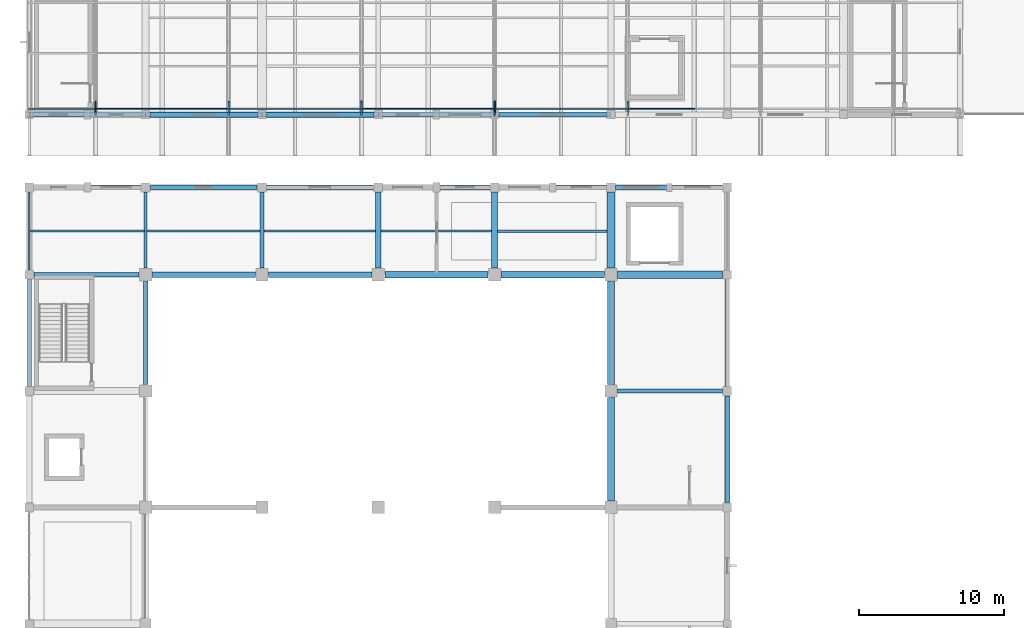
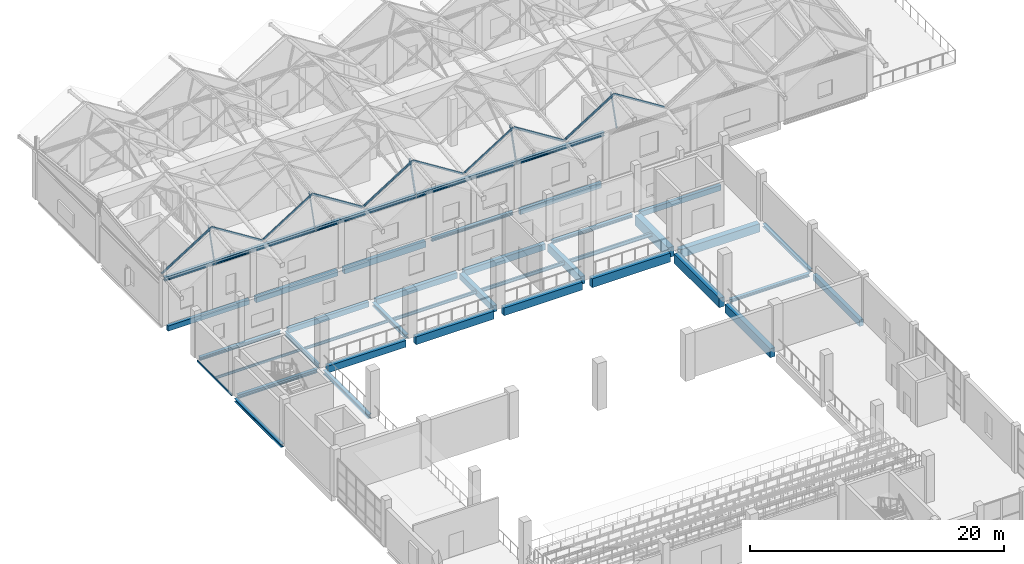
# One storey, part 62 of 183: 40 beams, 15 members.
"""IFC4 building model written with IfcOpenShell, lengths in metres."""

from ifc_helpers import new_model, si_unit, direction, frame, origin, origin_2d, place, context, subcontext, project, spatial, rectangle, hollow_rectangle, hollow_circle, i_section, extrude, material, material_profile, profile_set, type_object, element, save


model = new_model("IFC4")

# Units and contexts
model_context = context("Model", 3, precision=1e-05, world=origin(), true_north=direction((0.0, 1.0)))
body_context = subcontext(model_context, "Body", "Model", "MODEL_VIEW")
ifc_project = project(units=[si_unit("LENGTHUNIT", "METRE"), si_unit("AREAUNIT", "SQUARE_METRE"), si_unit("VOLUMEUNIT", "CUBIC_METRE"), si_unit("PLANEANGLEUNIT", "RADIAN"), si_unit("MASSUNIT", "GRAM", prefix="KILO")], contexts=[model_context])

# Site, building, storey
site_placement = place(None, origin())
site = spatial("IfcSite", under=ifc_project, at=site_placement, CompositionType="ELEMENT")
building_placement = place(site_placement, origin())
building = spatial("IfcBuilding", under=site, at=building_placement, Name="Luwemba Playhouse", CompositionType="ELEMENT")
storey_placement = place(building_placement, frame((0.0, 0.0, 4.800048828125)))
storey = spatial("IfcBuildingStorey", under=building, at=storey_placement, Name="L01", CompositionType="ELEMENT", Elevation=4.800048828125)

# Beams
ifc_material_1 = material(Name="Concrete C40/50", Category="concrete")
ifc_material_profile_1 = material_profile(ifc_material_1, rectangle(XDim=0.39990234375, YDim=0.60009765625, at=origin_2d()))
ifc_profile_set_1 = profile_set([ifc_material_profile_1], Name="Concrete C40/50")
beam_type_1 = type_object("IfcBeamType", Name="BM-RB01", PredefinedType="BEAM", material=ifc_profile_set_1)
beam_1_placement = place(storey_placement, frame((28.0, 84.449951171875, -0.550048828125), z_axis=(0.0, 1.0, 0.0), x_axis=(-1.0, 0.0, 0.0)))
element("IfcBeam", 1, at=beam_1_placement, inside=storey, type_object=beam_type_1, Name="L01 transverse girder 0396", PredefinedType="BEAM", context=body_context, shape_type="SweptSolid", body=[
    extrude(rectangle(XDim=0.39990234375, YDim=0.60009765625, at=origin_2d()), origin(), (0.0, 0.0, 1.0), 5.22509765625),
])
ifc_material_profile_2 = material_profile(ifc_material_1, rectangle(XDim=0.39990234375, YDim=0.64990234375, at=origin_2d()))
ifc_profile_set_2 = profile_set([ifc_material_profile_2], Name="Concrete C40/50")
beam_type_2 = type_object("IfcBeamType", Name="BM-RB02", PredefinedType="BEAM", material=ifc_profile_set_2)
beam_2_placement = place(storey_placement, frame((12.449951171875, 84.0, -0.574951171875), z_axis=(1.0, 0.0, 0.0), x_axis=(0.0, 1.0, 0.0)))
element("IfcBeam", 2, at=beam_2_placement, inside=storey, type_object=beam_type_2, Name="L01 grid girder 0378", PredefinedType="BEAM", context=body_context, shape_type="SweptSolid", body=[
    extrude(rectangle(XDim=0.39990234375, YDim=0.64990234375, at=origin_2d()), origin(), (0.0, 0.0, 1.0), 7.10009765625),
])
ifc_material_profile_3 = material_profile(ifc_material_1, rectangle(XDim=0.39990234375, YDim=0.75, at=origin_2d()))
ifc_profile_set_3 = profile_set([ifc_material_profile_3], Name="Concrete C40/50")
beam_type_3 = type_object("IfcBeamType", Name="BM-RB03", PredefinedType="BEAM", material=ifc_profile_set_3)
beam_3_placement = place(storey_placement, frame((20.449951171875, 84.0, -0.625), z_axis=(1.0, 0.0, 0.0), x_axis=(0.0, 1.0, 0.0)))
element("IfcBeam", 3, at=beam_3_placement, inside=storey, type_object=beam_type_3, Name="L01 grid girder 0379", PredefinedType="BEAM", context=body_context, shape_type="SweptSolid", body=[
    extrude(rectangle(XDim=0.39990234375, YDim=0.75, at=origin_2d()), origin(), (0.0, 0.0, 1.0), 7.10009765625),
])
beam_4_placement = place(storey_placement, frame((36.0, 84.449951171875, -0.625), z_axis=(0.0, 1.0, 0.0), x_axis=(-1.0, 0.0, 0.0)))
element("IfcBeam", 4, at=beam_4_placement, inside=storey, type_object=beam_type_3, Name="L01 transverse girder 0397", PredefinedType="BEAM", context=body_context, shape_type="SweptSolid", body=[
    extrude(rectangle(XDim=0.39990234375, YDim=0.75, at=origin_2d()), origin(), (0.0, 0.0, 1.0), 5.22509765625),
])
ifc_material_profile_4 = material_profile(ifc_material_1, rectangle(XDim=0.449951171875, YDim=0.75, at=origin_2d()))
ifc_profile_set_4 = profile_set([ifc_material_profile_4], Name="Concrete C40/50")
beam_type_4 = type_object("IfcBeamType", Name="BM-RB04", PredefinedType="BEAM", material=ifc_profile_set_4)
beam_5_placement = place(storey_placement, frame((28.449951171875, 84.0, -0.625), z_axis=(1.0, 0.0, 0.0), x_axis=(0.0, 1.0, 0.0)))
element("IfcBeam", 5, at=beam_5_placement, inside=storey, type_object=beam_type_4, Name="L01 grid girder 0380", PredefinedType="BEAM", context=body_context, shape_type="SweptSolid", body=[
    extrude(rectangle(XDim=0.449951171875, YDim=0.75, at=origin_2d()), origin(), (0.0, 0.0, 1.0), 7.10009765625),
])
ifc_material_profile_5 = material_profile(ifc_material_1, rectangle(XDim=0.449951171875, YDim=0.85009765625, at=origin_2d()))
ifc_profile_set_5 = profile_set([ifc_material_profile_5], Name="Concrete C40/50")
beam_type_5 = type_object("IfcBeamType", Name="BM-RB05", PredefinedType="BEAM", material=ifc_profile_set_5)
for number, where, z_axis, x_axis, name in (
    (6, (36.449951171875, 84.0, -0.675048828125), (1.0, 0.0, 0.0), (0.0, 1.0, 0.0), "L01 grid girder 0381"),
    (7, (44.0, 68.449951171875, -0.675048828125), (0.0, 1.0, 0.0), (-1.0, 0.0, 0.0), "L01 transverse girder 0398"),
):
    element("IfcBeam", number, at=place(storey_placement, frame(where, z_axis=z_axis, x_axis=x_axis)), inside=storey, type_object=beam_type_5, Name=name, PredefinedType="BEAM", context=body_context, shape_type="SweptSolid", body=[
        extrude(rectangle(XDim=0.449951171875, YDim=0.85009765625, at=origin_2d()), origin(), (0.0, 0.0, 1.0), 7.10009765625),
    ])
ifc_material_profile_6 = material_profile(ifc_material_1, rectangle(XDim=0.5, YDim=0.800048828125, at=origin_2d()))
ifc_profile_set_6 = profile_set([ifc_material_profile_6], Name="Concrete C40/50")
beam_type_6 = type_object("IfcBeamType", Name="BM-RB06", PredefinedType="BEAM", material=ifc_profile_set_6)
beam_6_placement = place(storey_placement, frame((44.449951171875, 84.0, -0.650146484375), z_axis=(1.0, 0.0, 0.0), x_axis=(0.0, 1.0, 0.0)))
element("IfcBeam", 8, at=beam_6_placement, inside=storey, type_object=beam_type_6, Name="L01 grid girder 0382", PredefinedType="BEAM", context=body_context, shape_type="SweptSolid", body=[
    extrude(rectangle(XDim=0.5, YDim=0.800048828125, at=origin_2d()), origin(), (0.0, 0.0, 1.0), 7.22509765625),
])
ifc_material_profile_7 = material_profile(ifc_material_1, rectangle(XDim=0.5, YDim=0.89990234375, at=origin_2d()))
ifc_profile_set_7 = profile_set([ifc_material_profile_7], Name="Concrete C40/50")
beam_type_7 = type_object("IfcBeamType", Name="BM-RB07", PredefinedType="BEAM", material=ifc_profile_set_7)
beam_7_placement = place(storey_placement, frame((44.0, 76.449951171875, -0.699951171875), z_axis=(0.0, 1.0, 0.0), x_axis=(-1.0, 0.0, 0.0)))
element("IfcBeam", 9, at=beam_7_placement, inside=storey, type_object=beam_type_7, Name="L01 transverse girder 0399", PredefinedType="BEAM", context=body_context, shape_type="SweptSolid", body=[
    extrude(rectangle(XDim=0.5, YDim=0.89990234375, at=origin_2d()), origin(), (0.0, 0.0, 1.0), 7.10009765625),
])
ifc_material_profile_8 = material_profile(ifc_material_1, rectangle(XDim=0.550048828125, YDim=0.949951171875, at=origin_2d()))
ifc_profile_set_8 = profile_set([ifc_material_profile_8], Name="Concrete C40/50")
beam_type_8 = type_object("IfcBeamType", Name="BM-RB08", PredefinedType="BEAM", material=ifc_profile_set_8)
beam_8_placement = place(storey_placement, frame((44.0, 84.449951171875, -0.72509765625), z_axis=(0.0, 1.0, 0.0), x_axis=(-1.0, 0.0, 0.0)))
element("IfcBeam", 10, at=beam_8_placement, inside=storey, type_object=beam_type_8, Name="L01 transverse girder 0400", PredefinedType="BEAM", context=body_context, shape_type="SweptSolid", body=[
    extrude(rectangle(XDim=0.550048828125, YDim=0.949951171875, at=origin_2d()), origin(), (0.0, 0.0, 1.0), 5.22509765625),
])
ifc_material_2 = material(Name="Steel S355", Category="steel")
ifc_material_profile_9 = material_profile(ifc_material_2, i_section(OverallWidth=0.300048828125, OverallDepth=0.2900390625, WebThickness=0.008544921875, FlangeThickness=0.013916015625, FilletRadius=0.027099609375, at=origin_2d()))
ifc_profile_set_9 = profile_set([ifc_material_profile_9], Name="Steel S355")
beam_type_9 = type_object("IfcBeamType", Name="BM-SB03", PredefinedType="BEAM", material=ifc_profile_set_9)
beam_9_placement = place(storey_placement, frame((44.449951171875, 76.0, -0.39501953125), z_axis=(1.0, 0.0, 0.0), x_axis=(0.0, 1.0, 0.0)))
element("IfcBeam", 11, at=beam_9_placement, inside=storey, type_object=beam_type_9, Name="L01 grid girder 0376", PredefinedType="BEAM", context=body_context, shape_type="SweptSolid", body=[
    extrude(i_section(OverallWidth=0.300048828125, OverallDepth=0.2900390625, WebThickness=0.008544921875, FlangeThickness=0.013916015625, FilletRadius=0.027099609375, at=origin_2d()), origin(), (0.0, 0.0, 1.0), 7.22509765625),
])
ifc_material_profile_10 = material_profile(ifc_material_2, i_section(OverallWidth=0.300048828125, OverallDepth=0.330078125, WebThickness=0.009521484375, FlangeThickness=0.0166015625, FilletRadius=0.027099609375, at=origin_2d()))
ifc_profile_set_10 = profile_set([ifc_material_profile_10], Name="Steel S355")
beam_type_10 = type_object("IfcBeamType", Name="BM-SB04", PredefinedType="BEAM", material=ifc_profile_set_10)
beam_10_placement = place(storey_placement, frame((4.324951171875, 84.0, -0.4150390625), z_axis=(1.0, 0.0, 0.0), x_axis=(0.0, 1.0, 0.0)))
element("IfcBeam", 12, at=beam_10_placement, inside=storey, type_object=beam_type_10, Name="L01 grid girder 0377", PredefinedType="BEAM", context=body_context, shape_type="SweptSolid", body=[
    extrude(i_section(OverallWidth=0.300048828125, OverallDepth=0.330078125, WebThickness=0.009521484375, FlangeThickness=0.0166015625, FilletRadius=0.027099609375, at=origin_2d()), origin(), (0.0, 0.0, 1.0), 7.22509765625),
])
ifc_material_profile_11 = material_profile(ifc_material_2, i_section(OverallWidth=0.300048828125, OverallDepth=0.389892578125, WebThickness=0.010986328125, FlangeThickness=0.01904296875, FilletRadius=0.027099609375, at=origin_2d()))
ifc_profile_set_11 = profile_set([ifc_material_profile_11], Name="Steel S355")
beam_type_11 = type_object("IfcBeamType", Name="BM-SB05", PredefinedType="BEAM", material=ifc_profile_set_11)
beam_11_placement = place(storey_placement, frame((12.0, 76.449951171875, -0.445068359375), z_axis=(0.0, 1.0, 0.0), x_axis=(-1.0, 0.0, 0.0)))
element("IfcBeam", 13, at=beam_11_placement, inside=storey, type_object=beam_type_11, Name="L01 transverse girder 0393", PredefinedType="BEAM", context=body_context, shape_type="SweptSolid", body=[
    extrude(i_section(OverallWidth=0.300048828125, OverallDepth=0.389892578125, WebThickness=0.010986328125, FlangeThickness=0.01904296875, FilletRadius=0.027099609375, at=origin_2d()), origin(), (0.0, 0.0, 1.0), 7.10009765625),
])
ifc_material_profile_12 = material_profile(ifc_material_2, i_section(OverallWidth=0.18994140625, OverallDepth=0.449951171875, WebThickness=0.009521484375, FlangeThickness=0.0146484375, FilletRadius=0.02099609375, at=origin_2d()))
ifc_profile_set_12 = profile_set([ifc_material_profile_12], Name="Steel S355")
beam_type_12 = type_object("IfcBeamType", Name="BM-SB06", PredefinedType="BEAM", material=ifc_profile_set_12)
beam_12_placement = place(storey_placement, frame((12.0, 84.449951171875, -0.47509765625), z_axis=(0.0, 1.0, 0.0), x_axis=(-1.0, 0.0, 0.0)))
element("IfcBeam", 14, at=beam_12_placement, inside=storey, type_object=beam_type_12, Name="L01 transverse girder 0394", PredefinedType="BEAM", context=body_context, shape_type="SweptSolid", body=[
    extrude(i_section(OverallWidth=0.18994140625, OverallDepth=0.449951171875, WebThickness=0.009521484375, FlangeThickness=0.0146484375, FilletRadius=0.02099609375, at=origin_2d()), origin(), (0.0, 0.0, 1.0), 5.22509765625),
])
ifc_material_profile_13 = material_profile(ifc_material_2, i_section(OverallWidth=0.300048828125, OverallDepth=0.360107421875, WebThickness=0.012451171875, FlangeThickness=0.0224609375, FilletRadius=0.027099609375, at=origin_2d()))
ifc_profile_set_13 = profile_set([ifc_material_profile_13], Name="Steel S355")
beam_type_13 = type_object("IfcBeamType", Name="BM-SB09", PredefinedType="BEAM", material=ifc_profile_set_13)
beam_13_placement = place(storey_placement, frame((20.0, 84.449951171875, -0.429931640625), z_axis=(0.0, 1.0, 0.0), x_axis=(-1.0, 0.0, 0.0)))
element("IfcBeam", 15, at=beam_13_placement, inside=storey, type_object=beam_type_13, Name="L01 transverse girder 0395", PredefinedType="BEAM", context=body_context, shape_type="SweptSolid", body=[
    extrude(i_section(OverallWidth=0.300048828125, OverallDepth=0.360107421875, WebThickness=0.012451171875, FlangeThickness=0.0224609375, FilletRadius=0.027099609375, at=origin_2d()), origin(), (0.0, 0.0, 1.0), 5.22509765625),
])
for number, where, z_axis, x_axis, name in (
    (16, (4.0, 95.0, 4.320068359375), (1.0, 0.0, 0.0), (0.0, 1.0, 0.0), "RF-V6W eave ring beam 0342"),
    (17, (12.0, 95.0, 4.320068359375), (1.0, 0.0, 0.0), (0.0, 1.0, 0.0), "RF-V6W eave ring beam 0343"),
    (18, (20.0, 95.0, 4.320068359375), (1.0, 0.0, 0.0), (0.0, 1.0, 0.0), "RF-V6W eave ring beam 0344"),
    (19, (28.0, 95.0, 4.320068359375), (1.0, 0.0, 0.0), (0.0, 1.0, 0.0), "RF-V6W eave ring beam 0345"),
    (20, (36.0, 95.0, 4.320068359375), (1.0, 0.0, 0.0), (0.0, 1.0, 0.0), "RF-V6W eave ring beam 0346"),
):
    element("IfcBeam", number, at=place(storey_placement, frame(where, z_axis=z_axis, x_axis=x_axis)), inside=storey, type_object=beam_type_13, Name=name, PredefinedType="BEAM", context=body_context, shape_type="SweptSolid", body=[
        extrude(i_section(OverallWidth=0.300048828125, OverallDepth=0.360107421875, WebThickness=0.012451171875, FlangeThickness=0.0224609375, FilletRadius=0.027099609375, at=origin_2d()), origin(), (0.0, 0.0, 1.0), 8.0),
    ])
ifc_material_profile_14 = material_profile(ifc_material_2, i_section(OverallWidth=0.1201171875, OverallDepth=0.239990234375, WebThickness=0.006103515625, FlangeThickness=0.009765625, FilletRadius=0.014892578125, at=origin_2d()))
ifc_profile_set_14 = profile_set([ifc_material_profile_14], Name="Steel S355")
beam_type_14 = type_object("IfcBeamType", Name="BM-SJ03", PredefinedType="JOIST", material=ifc_profile_set_14)
beam_14_placement = place(storey_placement, frame((4.0458984375, 87.0, -0.3701171875), z_axis=(1.0, 0.0, 0.0), x_axis=(0.0, 1.0, 0.0)))
element("IfcBeam", 21, at=beam_14_placement, inside=storey, type_object=beam_type_14, Name="L01 composite floor joist 0250", PredefinedType="JOIST", context=body_context, shape_type="SweptSolid", body=[
    extrude(i_section(OverallWidth=0.1201171875, OverallDepth=0.239990234375, WebThickness=0.006103515625, FlangeThickness=0.009765625, FilletRadius=0.014892578125, at=origin_2d()), origin(), (0.0, 0.0, 1.0), 7.863037109375),
])
ifc_material_profile_15 = material_profile(ifc_material_2, i_section(OverallWidth=0.135009765625, OverallDepth=0.27001953125, WebThickness=0.006591796875, FlangeThickness=0.01025390625, FilletRadius=0.014892578125, at=origin_2d()))
ifc_profile_set_15 = profile_set([ifc_material_profile_15], Name="Steel S355")
beam_type_15 = type_object("IfcBeamType", Name="BM-SJ04", PredefinedType="JOIST", material=ifc_profile_set_15)
beam_15_placement = place(storey_placement, frame((12.091064453125, 87.0, -0.385009765625), z_axis=(1.0, 0.0, 0.0), x_axis=(0.0, 1.0, 0.0)))
element("IfcBeam", 22, at=beam_15_placement, inside=storey, type_object=beam_type_15, Name="L01 composite floor joist 0251", PredefinedType="JOIST", context=body_context, shape_type="SweptSolid", body=[
    extrude(i_section(OverallWidth=0.135009765625, OverallDepth=0.27001953125, WebThickness=0.006591796875, FlangeThickness=0.01025390625, FilletRadius=0.014892578125, at=origin_2d()), origin(), (0.0, 0.0, 1.0), 7.762939453125),
])
ifc_material_profile_16 = material_profile(ifc_material_2, i_section(OverallWidth=0.14990234375, OverallDepth=0.300048828125, WebThickness=0.007080078125, FlangeThickness=0.0107421875, FilletRadius=0.014892578125, at=origin_2d()))
ifc_profile_set_16 = profile_set([ifc_material_profile_16], Name="Steel S355")
beam_type_16 = type_object("IfcBeamType", Name="BM-SJ05", PredefinedType="JOIST", material=ifc_profile_set_16)
beam_16_placement = place(storey_placement, frame((20.14599609375, 87.0, -0.400146484375), z_axis=(1.0, 0.0, 0.0), x_axis=(0.0, 1.0, 0.0)))
element("IfcBeam", 23, at=beam_16_placement, inside=storey, type_object=beam_type_16, Name="L01 composite floor joist 0252", PredefinedType="JOIST", context=body_context, shape_type="SweptSolid", body=[
    extrude(i_section(OverallWidth=0.14990234375, OverallDepth=0.300048828125, WebThickness=0.007080078125, FlangeThickness=0.0107421875, FilletRadius=0.014892578125, at=origin_2d()), origin(), (0.0, 0.0, 1.0), 7.657958984375),
])
ifc_material_profile_17 = material_profile(ifc_material_2, i_section(OverallWidth=0.159912109375, OverallDepth=0.330078125, WebThickness=0.007568359375, FlangeThickness=0.011474609375, FilletRadius=0.01806640625, at=origin_2d()))
ifc_profile_set_17 = profile_set([ifc_material_profile_17], Name="Steel S355")
beam_type_17 = type_object("IfcBeamType", Name="BM-SJ06", PredefinedType="JOIST", material=ifc_profile_set_17)
beam_17_placement = place(storey_placement, frame((28.196044921875, 87.0, -0.4150390625), z_axis=(1.0, 0.0, 0.0), x_axis=(0.0, 1.0, 0.0)))
element("IfcBeam", 24, at=beam_17_placement, inside=storey, type_object=beam_type_17, Name="L01 composite floor joist 0253", PredefinedType="JOIST", context=body_context, shape_type="SweptSolid", body=[
    extrude(i_section(OverallWidth=0.159912109375, OverallDepth=0.330078125, WebThickness=0.007568359375, FlangeThickness=0.011474609375, FilletRadius=0.01806640625, at=origin_2d()), origin(), (0.0, 0.0, 1.0), 7.60791015625),
])
ifc_material_profile_18 = material_profile(ifc_material_2, i_section(OverallWidth=0.169921875, OverallDepth=0.360107421875, WebThickness=0.008056640625, FlangeThickness=0.0126953125, FilletRadius=0.01806640625, at=origin_2d()))
ifc_profile_set_18 = profile_set([ifc_material_profile_18], Name="Steel S355")
beam_type_18 = type_object("IfcBeamType", Name="BM-SJ07", PredefinedType="JOIST", material=ifc_profile_set_18)
beam_18_placement = place(storey_placement, frame((36.196044921875, 87.0, -0.429931640625), z_axis=(1.0, 0.0, 0.0), x_axis=(0.0, 1.0, 0.0)))
element("IfcBeam", 25, at=beam_18_placement, inside=storey, type_object=beam_type_18, Name="L01 composite floor joist 0254", PredefinedType="JOIST", context=body_context, shape_type="SweptSolid", body=[
    extrude(i_section(OverallWidth=0.169921875, OverallDepth=0.360107421875, WebThickness=0.008056640625, FlangeThickness=0.0126953125, FilletRadius=0.01806640625, at=origin_2d()), origin(), (0.0, 0.0, 1.0), 7.532958984375),
])
ifc_material_profile_19 = material_profile(ifc_material_1, rectangle(XDim=0.300048828125, YDim=0.5, at=origin_2d()))
ifc_profile_set_19 = profile_set([ifc_material_profile_19], Name="Concrete C40/50")
beam_type_19 = type_object("IfcBeamType", Name="BM-SP1", PredefinedType="SPANDREL", material=ifc_profile_set_19)
for number, where, z_axis, x_axis, name in (
    (26, (12.324951171875, 90.0, -0.5), (1.0, 0.0, 0.0), (0.0, 1.0, 0.0), "L01 grid girder 0384"),
    (27, (44.324951171875, 90.0, -0.5), (1.0, 0.0, 0.0), (0.0, 1.0, 0.0), "L01 grid girder 0388"),
):
    element("IfcBeam", number, at=place(storey_placement, frame(where, z_axis=z_axis, x_axis=x_axis)), inside=storey, type_object=beam_type_19, Name=name, PredefinedType="SPANDREL", context=body_context, shape_type="SweptSolid", body=[
        extrude(rectangle(XDim=0.300048828125, YDim=0.5, at=origin_2d()), origin(), (0.0, 0.0, 1.0), 7.35009765625),
    ])
for number, where, z_axis, x_axis, name in (
    (28, (4.300048828125, 95.0, -0.5), (1.0, 0.0, 0.0), (0.0, 1.0, 0.0), "L01 grid girder 0564"),
    (29, (36.300048828125, 95.0, -0.5), (1.0, 0.0, 0.0), (0.0, 1.0, 0.0), "L01 grid girder 0568"),
):
    element("IfcBeam", number, at=place(storey_placement, frame(where, z_axis=z_axis, x_axis=x_axis)), inside=storey, type_object=beam_type_19, Name=name, PredefinedType="SPANDREL", context=body_context, shape_type="SweptSolid", body=[
        extrude(rectangle(XDim=0.300048828125, YDim=0.5, at=origin_2d()), origin(), (0.0, 0.0, 1.0), 7.39990234375),
    ])
ifc_material_profile_20 = material_profile(ifc_material_1, rectangle(XDim=0.35009765625, YDim=0.550048828125, at=origin_2d()))
ifc_profile_set_20 = profile_set([ifc_material_profile_20], Name="Concrete C40/50")
beam_type_20 = type_object("IfcBeamType", Name="BM-SP2", PredefinedType="SPANDREL", material=ifc_profile_set_20)
beam_19_placement = place(storey_placement, frame((20.324951171875, 90.0, -0.525146484375), z_axis=(1.0, 0.0, 0.0), x_axis=(0.0, 1.0, 0.0)))
element("IfcBeam", 30, at=beam_19_placement, inside=storey, type_object=beam_type_20, Name="L01 grid girder 0385", PredefinedType="SPANDREL", context=body_context, shape_type="SweptSolid", body=[
    extrude(rectangle(XDim=0.35009765625, YDim=0.550048828125, at=origin_2d()), origin(), (0.0, 0.0, 1.0), 7.35009765625),
])
beam_20_placement = place(storey_placement, frame((12.300048828125, 95.0, -0.525146484375), z_axis=(1.0, 0.0, 0.0), x_axis=(0.0, 1.0, 0.0)))
element("IfcBeam", 31, at=beam_20_placement, inside=storey, type_object=beam_type_20, Name="L01 grid girder 0565", PredefinedType="SPANDREL", context=body_context, shape_type="SweptSolid", body=[
    extrude(rectangle(XDim=0.35009765625, YDim=0.550048828125, at=origin_2d()), origin(), (0.0, 0.0, 1.0), 7.39990234375),
])
ifc_material_profile_21 = material_profile(ifc_material_1, rectangle(XDim=0.35009765625, YDim=0.60009765625, at=origin_2d()))
ifc_profile_set_21 = profile_set([ifc_material_profile_21], Name="Concrete C40/50")
beam_type_21 = type_object("IfcBeamType", Name="BM-SP3", PredefinedType="SPANDREL", material=ifc_profile_set_21)
for number, where, z_axis, x_axis, name in (
    (32, (28.324951171875, 90.0, -0.550048828125), (1.0, 0.0, 0.0), (0.0, 1.0, 0.0), "L01 grid girder 0386"),
    (33, (52.0, 68.324951171875, -0.550048828125), (0.0, 1.0, 0.0), (-1.0, 0.0, 0.0), "L01 transverse girder 0401"),
):
    element("IfcBeam", number, at=place(storey_placement, frame(where, z_axis=z_axis, x_axis=x_axis)), inside=storey, type_object=beam_type_21, Name=name, PredefinedType="SPANDREL", context=body_context, shape_type="SweptSolid", body=[
        extrude(rectangle(XDim=0.35009765625, YDim=0.60009765625, at=origin_2d()), origin(), (0.0, 0.0, 1.0), 7.35009765625),
    ])
beam_21_placement = place(storey_placement, frame((20.300048828125, 95.0, -0.550048828125), z_axis=(1.0, 0.0, 0.0), x_axis=(0.0, 1.0, 0.0)))
element("IfcBeam", 34, at=beam_21_placement, inside=storey, type_object=beam_type_21, Name="L01 grid girder 0566", PredefinedType="SPANDREL", context=body_context, shape_type="SweptSolid", body=[
    extrude(rectangle(XDim=0.35009765625, YDim=0.60009765625, at=origin_2d()), origin(), (0.0, 0.0, 1.0), 7.39990234375),
])
ifc_material_profile_22 = material_profile(ifc_material_2, i_section(OverallWidth=0.300048828125, OverallDepth=0.300048828125, WebThickness=0.010986328125, FlangeThickness=0.01904296875, FilletRadius=0.027099609375, at=origin_2d()))
ifc_profile_set_22 = profile_set([ifc_material_profile_22], Name="Steel S355")
beam_type_22 = type_object("IfcBeamType", Name="BM-SSP1", PredefinedType="SPANDREL", material=ifc_profile_set_22)
for number, where, z_axis, x_axis, name in (
    (35, (4.324951171875, 90.0, -0.400146484375), (1.0, 0.0, 0.0), (0.0, 1.0, 0.0), "L01 grid girder 0383"),
    (36, (36.324951171875, 90.0, -0.400146484375), (1.0, 0.0, 0.0), (0.0, 1.0, 0.0), "L01 grid girder 0387"),
    (37, (4.0, 76.324951171875, -0.400146484375), (0.0, 1.0, 0.0), (-1.0, 0.0, 0.0), "L01 transverse girder 0390"),
    (38, (52.0, 76.324951171875, -0.400146484375), (0.0, 1.0, 0.0), (-1.0, 0.0, 0.0), "L01 transverse girder 0402"),
):
    element("IfcBeam", number, at=place(storey_placement, frame(where, z_axis=z_axis, x_axis=x_axis)), inside=storey, type_object=beam_type_22, Name=name, PredefinedType="SPANDREL", context=body_context, shape_type="SweptSolid", body=[
        extrude(i_section(OverallWidth=0.300048828125, OverallDepth=0.300048828125, WebThickness=0.010986328125, FlangeThickness=0.01904296875, FilletRadius=0.027099609375, at=origin_2d()), origin(), (0.0, 0.0, 1.0), 7.35009765625),
    ])
beam_22_placement = place(storey_placement, frame((28.300048828125, 95.0, -0.400146484375), z_axis=(1.0, 0.0, 0.0), x_axis=(0.0, 1.0, 0.0)))
element("IfcBeam", 39, at=beam_22_placement, inside=storey, type_object=beam_type_22, Name="L01 grid girder 0567", PredefinedType="SPANDREL", context=body_context, shape_type="SweptSolid", body=[
    extrude(i_section(OverallWidth=0.300048828125, OverallDepth=0.300048828125, WebThickness=0.010986328125, FlangeThickness=0.01904296875, FilletRadius=0.027099609375, at=origin_2d()), origin(), (0.0, 0.0, 1.0), 7.39990234375),
])
ifc_material_profile_23 = material_profile(ifc_material_2, hollow_rectangle(XDim=0.10009765625, YDim=0.199951171875, WallThickness=0.008056640625, InnerFilletRadius=0.011962890625, OuterFilletRadius=0.02001953125, at=origin_2d()))
ifc_profile_set_23 = profile_set([ifc_material_profile_23], Name="Steel S355")
beam_type_23 = type_object("IfcBeamType", Name="BM-SSP2", PredefinedType="SPANDREL", material=ifc_profile_set_23)
beam_23_placement = place(storey_placement, frame((4.0, 84.324951171875, -0.35009765625), z_axis=(0.0, 1.0, 0.0), x_axis=(-1.0, 0.0, 0.0)))
element("IfcBeam", 40, at=beam_23_placement, inside=storey, type_object=beam_type_23, Name="L01 transverse girder 0391", PredefinedType="SPANDREL", context=body_context, shape_type="SweptSolid", body=[
    extrude(hollow_rectangle(XDim=0.10009765625, YDim=0.199951171875, WallThickness=0.008056640625, InnerFilletRadius=0.011962890625, OuterFilletRadius=0.02001953125, at=origin_2d()), origin(), (0.0, 0.0, 1.0), 5.35009765625),
])

# Members
ifc_material_profile_24 = material_profile(ifc_material_2, hollow_circle(Radius=0.06982421875, WallThickness=0.008056640625, at=origin_2d()))
ifc_profile_set_24 = profile_set([ifc_material_profile_24], Name="Steel S355")
member_type_1 = type_object("IfcMemberType", Name="MEM-MB01", PredefinedType="BRACE", material=ifc_profile_set_24)
member_1_placement = place(storey_placement, frame((8.5712890625, 95.0, 4.39990234375), z_axis=(0.0, 0.291958934331, 0.95643085514), x_axis=(-1.0, 0.0, 0.0)))
element("IfcMember", 41, at=member_1_placement, inside=storey, type_object=member_type_1, Name="ROOF TRUSS eave knee strut 0086", PredefinedType="BRACE", context=body_context, shape_type="SweptSolid", body=[
    extrude(hollow_circle(Radius=0.06982421875, WallThickness=0.008056640625, at=origin_2d()), origin(), (0.0, 0.0, 1.0), 3.082275390625),
])
ifc_material_profile_25 = material_profile(ifc_material_2, hollow_circle(Radius=0.084228515625, WallThickness=0.008056640625, at=origin_2d()))
ifc_profile_set_25 = profile_set([ifc_material_profile_25], Name="Steel S355")
member_type_2 = type_object("IfcMemberType", Name="MEM-MB02", PredefinedType="BRACE", material=ifc_profile_set_25)
member_2_placement = place(storey_placement, frame((36.0, 95.0, 4.39990234375), z_axis=(0.0, 0.287469518343, 0.95778978697), x_axis=(-1.0, 0.0, 0.0)))
element("IfcMember", 42, at=member_2_placement, inside=storey, type_object=member_type_2, Name="ROOF TRUSS eave knee strut 0092", PredefinedType="BRACE", context=body_context, shape_type="SweptSolid", body=[
    extrude(hollow_circle(Radius=0.084228515625, WallThickness=0.008056640625, at=origin_2d()), origin(), (0.0, 0.0, 1.0), 3.13037109375),
])
ifc_material_profile_26 = material_profile(ifc_material_2, hollow_rectangle(XDim=0.10009765625, YDim=0.10009765625, WallThickness=0.00634765625, InnerFilletRadius=0.009521484375, OuterFilletRadius=0.015869140625, at=origin_2d()))
ifc_profile_set_26 = profile_set([ifc_material_profile_26], Name="Steel S355")
member_type_3 = type_object("IfcMemberType", Name="MEM-MB05", PredefinedType="BRACE", material=ifc_profile_set_26)
member_3_placement = place(storey_placement, frame((17.71435546875, 95.0, 4.39990234375), z_axis=(0.0, 0.287490993159, 0.95778334129), x_axis=(-1.0, 0.0, 0.0)))
element("IfcMember", 43, at=member_3_placement, inside=storey, type_object=member_type_3, Name="ROOF TRUSS eave knee strut 0088", PredefinedType="BRACE", context=body_context, shape_type="SweptSolid", body=[
    extrude(hollow_rectangle(XDim=0.10009765625, YDim=0.10009765625, WallThickness=0.00634765625, InnerFilletRadius=0.009521484375, OuterFilletRadius=0.015869140625, at=origin_2d()), origin(), (0.0, 0.0, 1.0), 3.130126953125),
])
ifc_material_profile_27 = material_profile(ifc_material_2, hollow_rectangle(XDim=0.1201171875, YDim=0.1201171875, WallThickness=0.008056640625, InnerFilletRadius=0.011962890625, OuterFilletRadius=0.02001953125, at=origin_2d()))
ifc_profile_set_27 = profile_set([ifc_material_profile_27], Name="Steel S355")
member_type_4 = type_object("IfcMemberType", Name="MEM-MB06", PredefinedType="BRACE", material=ifc_profile_set_27)
member_4_placement = place(storey_placement, frame((45.142822265625, 95.0, 4.39990234375), z_axis=(0.0, 0.291958934331, 0.95643085514), x_axis=(-1.0, 0.0, 0.0)))
element("IfcMember", 44, at=member_4_placement, inside=storey, type_object=member_type_4, Name="ROOF TRUSS eave knee strut 0094", PredefinedType="BRACE", context=body_context, shape_type="SweptSolid", body=[
    extrude(hollow_rectangle(XDim=0.1201171875, YDim=0.1201171875, WallThickness=0.008056640625, InnerFilletRadius=0.011962890625, OuterFilletRadius=0.02001953125, at=origin_2d()), origin(), (0.0, 0.0, 1.0), 3.082275390625),
])
ifc_material_profile_28 = material_profile(ifc_material_2, hollow_rectangle(XDim=0.139892578125, YDim=0.139892578125, WallThickness=0.008056640625, InnerFilletRadius=0.011962890625, OuterFilletRadius=0.02001953125, at=origin_2d()))
ifc_profile_set_28 = profile_set([ifc_material_profile_28], Name="Steel S355")
member_type_5 = type_object("IfcMemberType", Name="MEM-MB07", PredefinedType="BRACE", material=ifc_profile_set_28)
member_5_placement = place(storey_placement, frame((26.857177734375, 95.0, 4.39990234375), z_axis=(0.0, 0.291958934331, 0.95643085514), x_axis=(-1.0, 0.0, 0.0)))
element("IfcMember", 45, at=member_5_placement, inside=storey, type_object=member_type_5, Name="ROOF TRUSS eave knee strut 0090", PredefinedType="BRACE", context=body_context, shape_type="SweptSolid", body=[
    extrude(hollow_rectangle(XDim=0.139892578125, YDim=0.139892578125, WallThickness=0.008056640625, InnerFilletRadius=0.011962890625, OuterFilletRadius=0.02001953125, at=origin_2d()), origin(), (0.0, 0.0, 1.0), 3.082275390625),
])
ifc_material_profile_29 = material_profile(ifc_material_2, hollow_rectangle(XDim=0.10009765625, YDim=0.14990234375, WallThickness=0.008056640625, InnerFilletRadius=0.011962890625, OuterFilletRadius=0.02001953125, at=origin_2d()))
ifc_profile_set_29 = profile_set([ifc_material_profile_29], Name="Steel S355")
member_type_6 = type_object("IfcMemberType", Name="MEM-MP02", PredefinedType="PURLIN", material=ifc_profile_set_29)
member_6_placement = place(storey_placement, frame((13.142822265625, 95.39990234375, 4.56494140625), z_axis=(0.846249443207, 0.0, 0.532786899117), x_axis=(0.0, 1.0, 0.0)))
element("IfcMember", 46, at=member_6_placement, inside=storey, type_object=member_type_6, Name="Pleated roof purlin 0625", PredefinedType="PURLIN", context=body_context, shape_type="SweptSolid", body=[
    extrude(hollow_rectangle(XDim=0.10009765625, YDim=0.14990234375, WallThickness=0.008056640625, InnerFilletRadius=0.011962890625, OuterFilletRadius=0.02001953125, at=origin_2d()), origin(), (0.0, 0.0, 1.0), 5.402099609375),
])
member_7_placement = place(storey_placement, frame((31.4287109375, 95.39990234375, 4.56494140625), z_axis=(0.846236613742, 0.0, 0.532807276191), x_axis=(0.0, 1.0, 0.0)))
element("IfcMember", 47, at=member_7_placement, inside=storey, type_object=member_type_6, Name="Pleated roof purlin 0649", PredefinedType="PURLIN", context=body_context, shape_type="SweptSolid", body=[
    extrude(hollow_rectangle(XDim=0.10009765625, YDim=0.14990234375, WallThickness=0.008056640625, InnerFilletRadius=0.011962890625, OuterFilletRadius=0.02001953125, at=origin_2d()), origin(), (0.0, 0.0, 1.0), 5.40185546875),
])
ifc_material_profile_30 = material_profile(ifc_material_2, hollow_rectangle(XDim=0.10009765625, YDim=0.179931640625, WallThickness=0.008056640625, InnerFilletRadius=0.011962890625, OuterFilletRadius=0.02001953125, at=origin_2d()))
ifc_profile_set_30 = profile_set([ifc_material_profile_30], Name="Steel S355")
member_type_7 = type_object("IfcMemberType", Name="MEM-MP04", PredefinedType="PURLIN", material=ifc_profile_set_30)
for number, where, z_axis, x_axis, name in (
    (48, (8.5712890625, 95.39990234375, 7.432861328125), (0.846249443207, 0.0, -0.532786899117), (0.0, 1.0, 0.0), "Pleated roof purlin 0619"),
    (49, (26.857177734375, 95.39990234375, 7.432861328125), (0.846249443207, 0.0, -0.532786899117), (0.0, 1.0, 0.0), "Pleated roof purlin 0643"),
    (50, (45.142822265625, 95.39990234375, 7.432861328125), (0.846249443207, 0.0, -0.532786899117), (0.0, 1.0, 0.0), "Pleated roof purlin 0667"),
):
    element("IfcMember", number, at=place(storey_placement, frame(where, z_axis=z_axis, x_axis=x_axis)), inside=storey, type_object=member_type_7, Name=name, PredefinedType="PURLIN", context=body_context, shape_type="SweptSolid", body=[
        extrude(hollow_rectangle(XDim=0.10009765625, YDim=0.179931640625, WallThickness=0.008056640625, InnerFilletRadius=0.011962890625, OuterFilletRadius=0.02001953125, at=origin_2d()), origin(), (0.0, 0.0, 1.0), 5.402099609375),
    ])
ifc_material_profile_31 = material_profile(ifc_material_2, i_section(OverallWidth=0.091064453125, OverallDepth=0.179931640625, WebThickness=0.00537109375, FlangeThickness=0.008056640625, FilletRadius=0.009033203125, at=origin_2d()))
ifc_profile_set_31 = profile_set([ifc_material_profile_31], Name="Steel S355")
member_type_8 = type_object("IfcMemberType", Name="MEM-MP06", PredefinedType="PURLIN", material=ifc_profile_set_31)
member_8_placement = place(storey_placement, frame((4.0, 95.39990234375, 4.5576171875), z_axis=(0.846236613742, 0.0, 0.532807276191), x_axis=(0.0, 1.0, 0.0)))
element("IfcMember", 51, at=member_8_placement, inside=storey, type_object=member_type_8, Name="Pleated roof purlin 0613", PredefinedType="PURLIN", context=body_context, shape_type="SweptSolid", body=[
    extrude(i_section(OverallWidth=0.091064453125, OverallDepth=0.179931640625, WebThickness=0.00537109375, FlangeThickness=0.008056640625, FilletRadius=0.009033203125, at=origin_2d()), origin(), (0.0, 0.0, 1.0), 5.40185546875),
])
for number, where, z_axis, x_axis, name in (
    (52, (22.28564453125, 95.39990234375, 4.557373046875), (0.84622906663, 0.0, 0.532819262781), (0.0, 1.0, 0.0), "Pleated roof purlin 0637"),
    (53, (40.5712890625, 95.39990234375, 4.557373046875), (0.84622906663, 0.0, 0.532819262781), (0.0, 1.0, 0.0), "Pleated roof purlin 0661"),
):
    element("IfcMember", number, at=place(storey_placement, frame(where, z_axis=z_axis, x_axis=x_axis)), inside=storey, type_object=member_type_8, Name=name, PredefinedType="PURLIN", context=body_context, shape_type="SweptSolid", body=[
        extrude(i_section(OverallWidth=0.091064453125, OverallDepth=0.179931640625, WebThickness=0.00537109375, FlangeThickness=0.008056640625, FilletRadius=0.009033203125, at=origin_2d()), origin(), (0.0, 0.0, 1.0), 5.40234375),
    ])
ifc_material_profile_32 = material_profile(ifc_material_2, i_section(OverallWidth=0.110107421875, OverallDepth=0.219970703125, WebThickness=0.005859375, FlangeThickness=0.00927734375, FilletRadius=0.011962890625, at=origin_2d()))
ifc_profile_set_32 = profile_set([ifc_material_profile_32], Name="Steel S355")
member_type_9 = type_object("IfcMemberType", Name="MEM-MP08", PredefinedType="PURLIN", material=ifc_profile_set_32)
for number, where, z_axis, x_axis, name in (
    (54, (17.71435546875, 95.39990234375, 7.409912109375), (0.846216235915, 0.0, -0.532839640111), (0.0, 1.0, 0.0), "Pleated roof purlin 0631"),
    (55, (36.0, 95.39990234375, 7.409912109375), (0.846216235915, 0.0, -0.532839640111), (0.0, 1.0, 0.0), "Pleated roof purlin 0655"),
):
    element("IfcMember", number, at=place(storey_placement, frame(where, z_axis=z_axis, x_axis=x_axis)), inside=storey, type_object=member_type_9, Name=name, PredefinedType="PURLIN", context=body_context, shape_type="SweptSolid", body=[
        extrude(i_section(OverallWidth=0.110107421875, OverallDepth=0.219970703125, WebThickness=0.005859375, FlangeThickness=0.00927734375, FilletRadius=0.011962890625, at=origin_2d()), origin(), (0.0, 0.0, 1.0), 5.402099609375),
    ])

save(model, "model.ifc")
